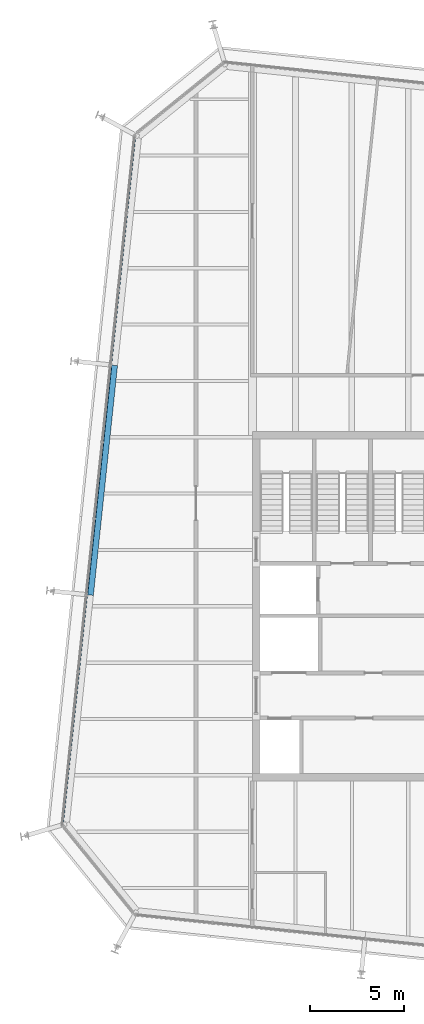
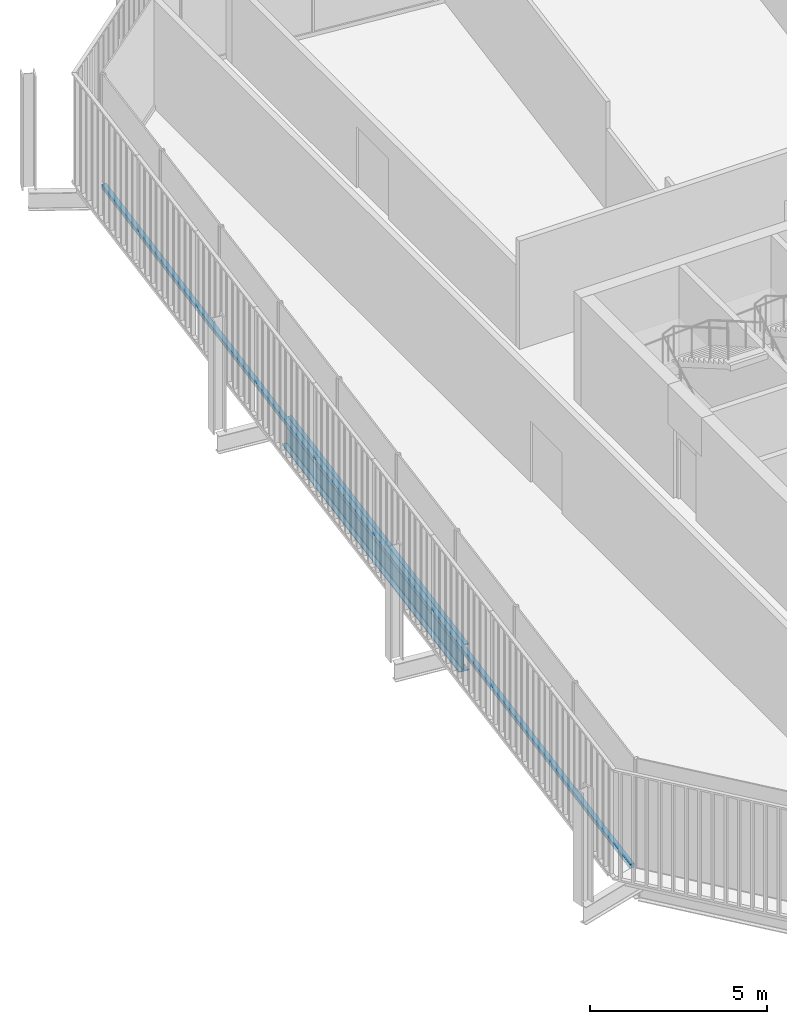
# One storey, part 7 of 20: 1 beam, 1 member, 1 element without a shape of its own.
"""IFC4 building model written with IfcOpenShell, lengths in metres."""

from ifc_helpers import new_model, si_unit, direction, frame, origin, origin_2d, place, context, subcontext, project, spatial, rectangle, i_section, extrude, material, layer, layer_set, material_profile, profile_set, type_object, element, aggregate, save


model = new_model("IFC4")

# Units and contexts
model_context = context("Model", 3, precision=1e-05, world=origin(), true_north=direction((0.0, 1.0)))
body_context = subcontext(model_context, "Body", "Model", "MODEL_VIEW")
ifc_project = project(units=[si_unit("LENGTHUNIT", "METRE"), si_unit("AREAUNIT", "SQUARE_METRE"), si_unit("VOLUMEUNIT", "CUBIC_METRE"), si_unit("PLANEANGLEUNIT", "RADIAN"), si_unit("MASSUNIT", "GRAM", prefix="KILO")], contexts=[model_context])

# Site, building, storey
site_placement = place(None, origin())
site = spatial("IfcSite", under=ifc_project, at=site_placement, CompositionType="ELEMENT")
building_placement = place(site_placement, origin())
building = spatial("IfcBuilding", under=site, at=building_placement, Name="Millrace Tower", CompositionType="ELEMENT")
storey_placement = place(building_placement, frame((0.0, 0.0, 279.89990234375)))
storey = spatial("IfcBuildingStorey", under=building, at=storey_placement, Name="L64", CompositionType="ELEMENT", Elevation=279.89990234375)

# Curtain wall, member
ifc_material_1 = material(Name="Aluminium and glass", Category="aluminium")
ifc_layer = layer(ifc_material_1, 0.14990234375)
ifc_layer_set = layer_set([ifc_layer], Name="Aluminium and glass")
curtain_wall_type = type_object("IfcCurtainWallType", Name="CW-1 office vision curtain wall", PredefinedType="NOTDEFINED", material=ifc_layer_set)
curtain_wall_placement = place(storey_placement, origin())
curtain_wall = element("IfcCurtainWall", 1, at=curtain_wall_placement, inside=storey, type_object=curtain_wall_type, Name="Curtain wall E-F08 L64", PredefinedType="NOTDEFINED")
ifc_material_2 = material(Name="Aluminium", Category="aluminium")
ifc_material_profile_1 = material_profile(ifc_material_2, rectangle(XDim=0.14990234375, YDim=0.139892578125, at=origin_2d()))
ifc_profile_set_1 = profile_set([ifc_material_profile_1], Name="Aluminium")
member_type = type_object("IfcMemberType", Name="CW-1 office vision curtain wall transom", PredefinedType="USERDEFINED", material=ifc_profile_set_1)
member_placement = place(storey_placement, frame((-20.581787109375, 24.9853515625, 0.070068359375), z_axis=(-0.104527916025, -0.994521952886, 0.0), x_axis=(0.994521952886, -0.104527916025, 0.0)))
member = element("IfcMember", 2, at=member_placement, type_object=member_type, Name="CW1 transom E-F08.1", ObjectType="TRANSOM", PredefinedType="USERDEFINED", context=body_context, shape_type="SweptSolid", body=[
    extrude(rectangle(XDim=0.14990234375, YDim=0.139892578125, at=origin_2d()), origin(), (0.0, 0.0, 1.0), 36.699951171875),
])
aggregate(curtain_wall, [member])

# Beam
ifc_material_3 = material(Name="Steel ASTM A992 Grade 50", Category="steel")
ifc_material_profile_2 = material_profile(ifc_material_3, i_section(OverallWidth=0.307373046875, OverallDepth=0.927001953125, WebThickness=0.01953125, FlangeThickness=0.031982421875, FilletRadius=0.01904296875, at=origin_2d()))
ifc_profile_set_2 = profile_set([ifc_material_profile_2], Name="Steel ASTM A992 Grade 50")
beam_type = type_object("IfcBeamType", Name="Ring beam medium span W36x194", PredefinedType="SPANDREL", material=ifc_profile_set_2)
beam_placement = place(storey_placement, frame((-22.915283203125, 0.595703125, -0.62353515625), z_axis=(0.104523600289, 0.994522406476, 0.0), x_axis=(-0.994522406476, 0.104523600289, 0.0)))
element("IfcBeam", 3, at=beam_placement, inside=storey, type_object=beam_type, Name="RNG-E-L64-S1-02", PredefinedType="SPANDREL", context=body_context, shape_type="SweptSolid", body=[
    extrude(i_section(OverallWidth=0.307373046875, OverallDepth=0.927001953125, WebThickness=0.01953125, FlangeThickness=0.031982421875, FilletRadius=0.01904296875, at=origin_2d()), origin(), (0.0, 0.0, 1.0), 12.300048828125),
])

save(model, "model.ifc")
